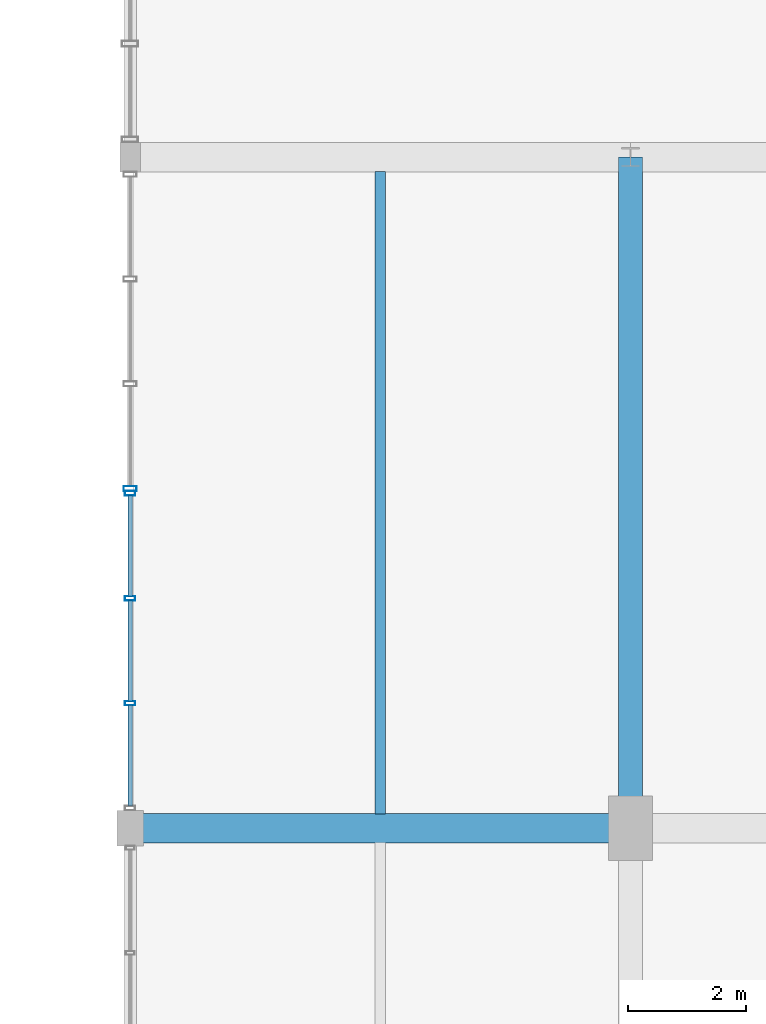
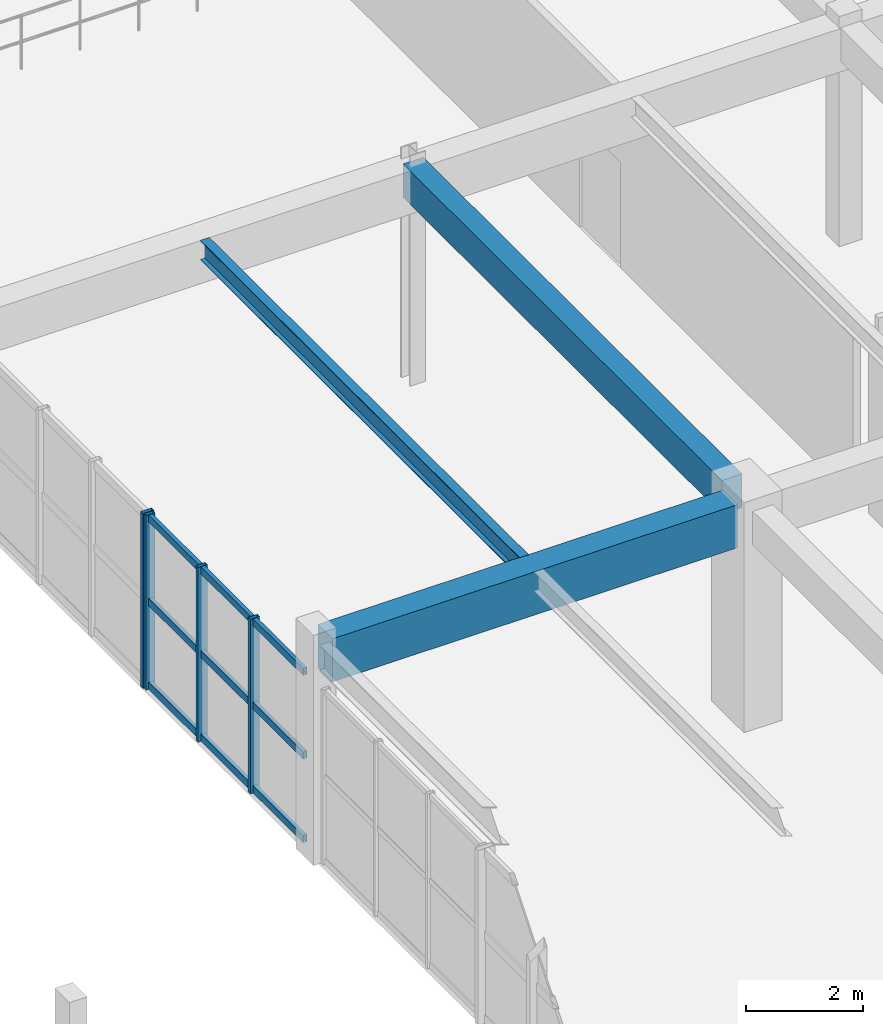
# One storey, part 43 of 106: 13 members, 3 beams, 2 elements without a shape of their own.
"""IFC4 building model written with IfcOpenShell, lengths in metres."""

from ifc_helpers import new_model, si_unit, direction, frame, origin, origin_2d, place, context, subcontext, project, spatial, rectangle, hollow_rectangle, i_section, extrude, material, layer, layer_set, material_profile, profile_set, type_object, element, aggregate, save


model = new_model("IFC4")

# Units and contexts
model_context = context("Model", 3, precision=1e-05, world=origin(), true_north=direction((0.0, 1.0)))
body_context = subcontext(model_context, "Body", "Model", "MODEL_VIEW")
ifc_project = project(units=[si_unit("LENGTHUNIT", "METRE"), si_unit("AREAUNIT", "SQUARE_METRE"), si_unit("VOLUMEUNIT", "CUBIC_METRE"), si_unit("PLANEANGLEUNIT", "RADIAN"), si_unit("MASSUNIT", "GRAM", prefix="KILO"), si_unit("POWERUNIT", "WATT"), si_unit("THERMODYNAMICTEMPERATUREUNIT", "KELVIN")], contexts=[model_context])

# Site, building, storey
site_placement = place(None, origin())
site = spatial("IfcSite", under=ifc_project, at=site_placement, CompositionType="ELEMENT")
building_placement = place(site_placement, origin())
building = spatial("IfcBuilding", under=site, at=building_placement, Name="Kelmbourne Parkland Aquatics Centre", CompositionType="ELEMENT")
storey_placement = place(building_placement, frame((0.0, 0.0, 5.39990234375)))
storey = spatial("IfcBuildingStorey", under=building, at=storey_placement, Name="L01", CompositionType="ELEMENT", Elevation=5.39990234375)

# Beams
ifc_material_1 = material(Name="Concrete C40/50", Category="concrete")
ifc_material_profile_1 = material_profile(ifc_material_1, rectangle(XDim=0.5, YDim=0.89990234375, at=origin_2d()), Name="RC 500x900")
ifc_profile_set_1 = profile_set([ifc_material_profile_1], Name="Concrete C40/50")
beam_type_1 = type_object("IfcBeamType", Name="BM-G03", PredefinedType="BEAM", material=ifc_profile_set_1)
beam_1_placement = place(storey_placement, frame((102.179931640625, 57.800048828125, 4.110107421875), z_axis=(1.0, 0.0, 0.0), x_axis=(0.0, 1.0, 0.0)))
element("IfcBeam", 1, at=beam_1_placement, inside=storey, type_object=beam_type_1, Name="Primary girder M-N Grid 08 (L02)", PredefinedType="BEAM", context=body_context, shape_type="SweptSolid", body=[
    extrude(rectangle(XDim=0.5, YDim=0.89990234375, at=origin_2d()), origin(), (0.0, 0.0, 1.0), 7.989990234375),
])
ifc_material_profile_2 = material_profile(ifc_material_1, rectangle(XDim=0.39990234375, YDim=0.699951171875, at=origin_2d()), Name="RC 400x700")
ifc_profile_set_2 = profile_set([ifc_material_profile_2], Name="Concrete C40/50")
beam_type_2 = type_object("IfcBeamType", Name="BM-G05", PredefinedType="BEAM", material=ifc_profile_set_2)
beam_2_placement = place(storey_placement, frame((110.5, 58.304931640625, 4.210205078125), z_axis=(0.0, 1.0, 0.0), x_axis=(-1.0, 0.0, 0.0)))
element("IfcBeam", 2, at=beam_2_placement, inside=storey, type_object=beam_type_2, Name="Primary girder 08-10 Grid N (L02)", PredefinedType="BEAM", context=body_context, shape_type="SweptSolid", body=[
    extrude(rectangle(XDim=0.39990234375, YDim=0.699951171875, at=origin_2d()), origin(), (0.0, 0.0, 1.0), 10.89501953125),
])
ifc_material_2 = material(Name="Structural steel AS/NZS 3679.1 Grade 300", Category="steel")
ifc_material_profile_3 = material_profile(ifc_material_2, i_section(OverallWidth=0.177978515625, OverallDepth=0.406005859375, WebThickness=0.0078125, FlangeThickness=0.0126953125, at=origin_2d()), Name="410UB59.7")
ifc_profile_set_3 = profile_set([ifc_material_profile_3], Name="Structural steel AS/NZS 3679.1 Grade 300")
beam_type_3 = type_object("IfcBeamType", Name="BM-J01", PredefinedType="JOIST", material=ifc_profile_set_3)
beam_3_placement = place(storey_placement, frame((106.25, 58.0419921875, 4.357177734375), z_axis=(0.0, 1.0, 0.0), x_axis=(-1.0, 0.0, 0.0)))
element("IfcBeam", 3, at=beam_3_placement, inside=storey, type_object=beam_type_3, Name="Secondary floor joist M-N/08-10 #1 (L02)", PredefinedType="JOIST", context=body_context, shape_type="SweptSolid", body=[
    extrude(i_section(OverallWidth=0.177978515625, OverallDepth=0.406005859375, WebThickness=0.0078125, FlangeThickness=0.0126953125, at=origin_2d()), origin(), (0.0, 0.0, 1.0), 10.916015625),
])

# Curtain wall, members
ifc_material_3 = material(Name="Thermally broken anodised aluminium framing", Category="aluminium")
ifc_layer_1 = layer(ifc_material_3, 0.179931640625)
ifc_layer_set_1 = layer_set([ifc_layer_1], Name="Thermally broken anodised aluminium framing")
curtain_wall_type_1 = type_object("IfcCurtainWallType", Name="CW-04", PredefinedType="NOTDEFINED", material=ifc_layer_set_1)
curtain_wall_1_placement = place(storey_placement, origin())
curtain_wall_1 = element("IfcCurtainWall", 4, at=curtain_wall_1_placement, inside=storey, type_object=curtain_wall_type_1, Name="Facade curtain wall CW-L01-196", PredefinedType="NOTDEFINED")
ifc_material_profile_4 = material_profile(ifc_material_3, hollow_rectangle(XDim=0.074951171875, YDim=0.179931640625, WallThickness=0.00439453125, at=origin_2d()), Name="CW-M 75x180")
ifc_profile_set_4 = profile_set([ifc_material_profile_4], Name="Thermally broken anodised aluminium framing")
member_type_1 = type_object("IfcMemberType", Name="MB-MUL-2", PredefinedType="MULLION", material=ifc_profile_set_4)
member_1_placement = place(storey_placement, frame((102.0, 59.922119140625, 0.0), z_axis=(0.0, 0.0, 1.0), x_axis=(0.0, 1.0, 0.0)))
member_1 = element("IfcMember", 5, at=member_1_placement, type_object=member_type_1, Name="CW-L01-196 mullion 1", PredefinedType="MULLION", context=body_context, shape_type="SweptSolid", body=[
    extrude(hollow_rectangle(XDim=0.074951171875, YDim=0.179931640625, WallThickness=0.00439453125, at=origin_2d()), origin(), (0.0, 0.0, 1.0), 3.64501953125),
])
member_2_placement = place(storey_placement, frame((102.0, 61.704833984375, 0.0), z_axis=(0.0, 0.0, 1.0), x_axis=(0.0, 1.0, 0.0)))
member_2 = element("IfcMember", 6, at=member_2_placement, type_object=member_type_1, Name="CW-L01-196 mullion 2", PredefinedType="MULLION", context=body_context, shape_type="SweptSolid", body=[
    extrude(hollow_rectangle(XDim=0.074951171875, YDim=0.179931640625, WallThickness=0.00439453125, at=origin_2d()), origin(), (0.0, 0.0, 1.0), 3.64501953125),
])
member_3_placement = place(storey_placement, frame((102.0, 63.487548828125, 0.0), z_axis=(0.0, 0.0, 1.0), x_axis=(0.0, 1.0, 0.0)))
member_3 = element("IfcMember", 7, at=member_3_placement, type_object=member_type_1, Name="CW-L01-196 mullion 3", PredefinedType="MULLION", context=body_context, shape_type="SweptSolid", body=[
    extrude(hollow_rectangle(XDim=0.074951171875, YDim=0.179931640625, WallThickness=0.00439453125, at=origin_2d()), origin(), (0.0, 0.0, 1.0), 3.64501953125),
])

# Curtain wall, member
ifc_layer_2 = layer(ifc_material_3, 0.179931640625)
ifc_layer_set_2 = layer_set([ifc_layer_2], Name="Thermally broken anodised aluminium framing")
curtain_wall_type_2 = type_object("IfcCurtainWallType", Name="CW-05", PredefinedType="NOTDEFINED", material=ifc_layer_set_2)
curtain_wall_2_placement = place(storey_placement, origin())
curtain_wall_2 = element("IfcCurtainWall", 8, at=curtain_wall_2_placement, inside=storey, type_object=curtain_wall_type_2, Name="Facade curtain wall CW-L01-197", PredefinedType="NOTDEFINED")
ifc_material_profile_5 = material_profile(ifc_material_3, hollow_rectangle(XDim=0.0849609375, YDim=0.219970703125, WallThickness=0.0048828125, at=origin_2d()), Name="CW-M 85x220")
ifc_profile_set_5 = profile_set([ifc_material_profile_5], Name="Thermally broken anodised aluminium framing")
member_type_2 = type_object("IfcMemberType", Name="MB-MUL-3", PredefinedType="MULLION", material=ifc_profile_set_5)
member_4_placement = place(storey_placement, frame((102.0, 63.5673828125, 0.0), z_axis=(0.0, 0.0, 1.0), x_axis=(0.0, 1.0, 0.0)))
member_4 = element("IfcMember", 9, at=member_4_placement, type_object=member_type_2, Name="CW-L01-197 mullion 0", PredefinedType="MULLION", context=body_context, shape_type="SweptSolid", body=[
    extrude(hollow_rectangle(XDim=0.0849609375, YDim=0.219970703125, WallThickness=0.0048828125, at=origin_2d()), origin(), (0.0, 0.0, 1.0), 3.64501953125),
])
aggregate(curtain_wall_2, [member_4])

# Member
ifc_material_profile_6 = material_profile(ifc_material_3, hollow_rectangle(XDim=0.074951171875, YDim=0.14990234375, WallThickness=0.00390625, at=origin_2d()), Name="CW-T 75x150")
ifc_profile_set_6 = profile_set([ifc_material_profile_6], Name="Thermally broken anodised aluminium framing")
member_type_3 = type_object("IfcMemberType", Name="MB-TRN-2", PredefinedType="USERDEFINED", material=ifc_profile_set_6)
member_5_placement = place(storey_placement, frame((102.0, 58.173095703125, 0.078125), z_axis=(0.0, 1.0, 0.0), x_axis=(-1.0, 0.0, 0.0)))
member_5 = element("IfcMember", 10, at=member_5_placement, type_object=member_type_3, Name="CW-L01-196 transom 0-0", ObjectType="TRANSOM", PredefinedType="USERDEFINED", context=body_context, shape_type="SweptSolid", body=[
    extrude(hollow_rectangle(XDim=0.074951171875, YDim=0.14990234375, WallThickness=0.00390625, at=origin_2d()), origin(), (0.0, 0.0, 1.0), 1.715576171875),
])

member_6_placement = place(storey_placement, frame((102.0, 59.955810546875, 0.078125), z_axis=(0.0, 1.0, 0.0), x_axis=(-1.0, 0.0, 0.0)))
member_6 = element("IfcMember", 11, at=member_6_placement, type_object=member_type_3, Name="CW-L01-196 transom 0-1", ObjectType="TRANSOM", PredefinedType="USERDEFINED", context=body_context, shape_type="SweptSolid", body=[
    extrude(hollow_rectangle(XDim=0.074951171875, YDim=0.14990234375, WallThickness=0.00390625, at=origin_2d()), origin(), (0.0, 0.0, 1.0), 1.715576171875),
])

member_7_placement = place(storey_placement, frame((102.0, 61.73828125, 0.078125), z_axis=(0.0, 1.0, 0.0), x_axis=(-1.0, 0.0, 0.0)))
member_7 = element("IfcMember", 12, at=member_7_placement, type_object=member_type_3, Name="CW-L01-196 transom 0-2", ObjectType="TRANSOM", PredefinedType="USERDEFINED", context=body_context, shape_type="SweptSolid", body=[
    extrude(hollow_rectangle(XDim=0.074951171875, YDim=0.14990234375, WallThickness=0.00390625, at=origin_2d()), origin(), (0.0, 0.0, 1.0), 1.7158203125),
])

member_8_placement = place(storey_placement, frame((102.0, 58.173095703125, 1.822509765625), z_axis=(0.0, 1.0, 0.0), x_axis=(-1.0, 0.0, 0.0)))
member_8 = element("IfcMember", 13, at=member_8_placement, type_object=member_type_3, Name="CW-L01-196 transom 1-0", ObjectType="TRANSOM", PredefinedType="USERDEFINED", context=body_context, shape_type="SweptSolid", body=[
    extrude(hollow_rectangle(XDim=0.074951171875, YDim=0.14990234375, WallThickness=0.00390625, at=origin_2d()), origin(), (0.0, 0.0, 1.0), 1.715576171875),
])

member_9_placement = place(storey_placement, frame((102.0, 59.955810546875, 1.822509765625), z_axis=(0.0, 1.0, 0.0), x_axis=(-1.0, 0.0, 0.0)))
member_9 = element("IfcMember", 14, at=member_9_placement, type_object=member_type_3, Name="CW-L01-196 transom 1-1", ObjectType="TRANSOM", PredefinedType="USERDEFINED", context=body_context, shape_type="SweptSolid", body=[
    extrude(hollow_rectangle(XDim=0.074951171875, YDim=0.14990234375, WallThickness=0.00390625, at=origin_2d()), origin(), (0.0, 0.0, 1.0), 1.715576171875),
])

member_10_placement = place(storey_placement, frame((102.0, 61.73828125, 1.822509765625), z_axis=(0.0, 1.0, 0.0), x_axis=(-1.0, 0.0, 0.0)))
member_10 = element("IfcMember", 15, at=member_10_placement, type_object=member_type_3, Name="CW-L01-196 transom 1-2", ObjectType="TRANSOM", PredefinedType="USERDEFINED", context=body_context, shape_type="SweptSolid", body=[
    extrude(hollow_rectangle(XDim=0.074951171875, YDim=0.14990234375, WallThickness=0.00390625, at=origin_2d()), origin(), (0.0, 0.0, 1.0), 1.7158203125),
])

member_11_placement = place(storey_placement, frame((102.0, 58.173095703125, 3.567138671875), z_axis=(0.0, 1.0, 0.0), x_axis=(-1.0, 0.0, 0.0)))
member_11 = element("IfcMember", 16, at=member_11_placement, type_object=member_type_3, Name="CW-L01-196 transom 2-0", ObjectType="TRANSOM", PredefinedType="USERDEFINED", context=body_context, shape_type="SweptSolid", body=[
    extrude(hollow_rectangle(XDim=0.074951171875, YDim=0.14990234375, WallThickness=0.00390625, at=origin_2d()), origin(), (0.0, 0.0, 1.0), 1.715576171875),
])

member_12_placement = place(storey_placement, frame((102.0, 59.955810546875, 3.567138671875), z_axis=(0.0, 1.0, 0.0), x_axis=(-1.0, 0.0, 0.0)))
member_12 = element("IfcMember", 17, at=member_12_placement, type_object=member_type_3, Name="CW-L01-196 transom 2-1", ObjectType="TRANSOM", PredefinedType="USERDEFINED", context=body_context, shape_type="SweptSolid", body=[
    extrude(hollow_rectangle(XDim=0.074951171875, YDim=0.14990234375, WallThickness=0.00390625, at=origin_2d()), origin(), (0.0, 0.0, 1.0), 1.715576171875),
])

member_13_placement = place(storey_placement, frame((102.0, 61.73828125, 3.567138671875), z_axis=(0.0, 1.0, 0.0), x_axis=(-1.0, 0.0, 0.0)))
member_13 = element("IfcMember", 18, at=member_13_placement, type_object=member_type_3, Name="CW-L01-196 transom 2-2", ObjectType="TRANSOM", PredefinedType="USERDEFINED", context=body_context, shape_type="SweptSolid", body=[
    extrude(hollow_rectangle(XDim=0.074951171875, YDim=0.14990234375, WallThickness=0.00390625, at=origin_2d()), origin(), (0.0, 0.0, 1.0), 1.7158203125),
])

aggregate(curtain_wall_1, [member_1, member_2, member_3, member_5, member_6, member_7, member_8, member_9, member_10, member_11, member_12, member_13])

save(model, "model.ifc")
